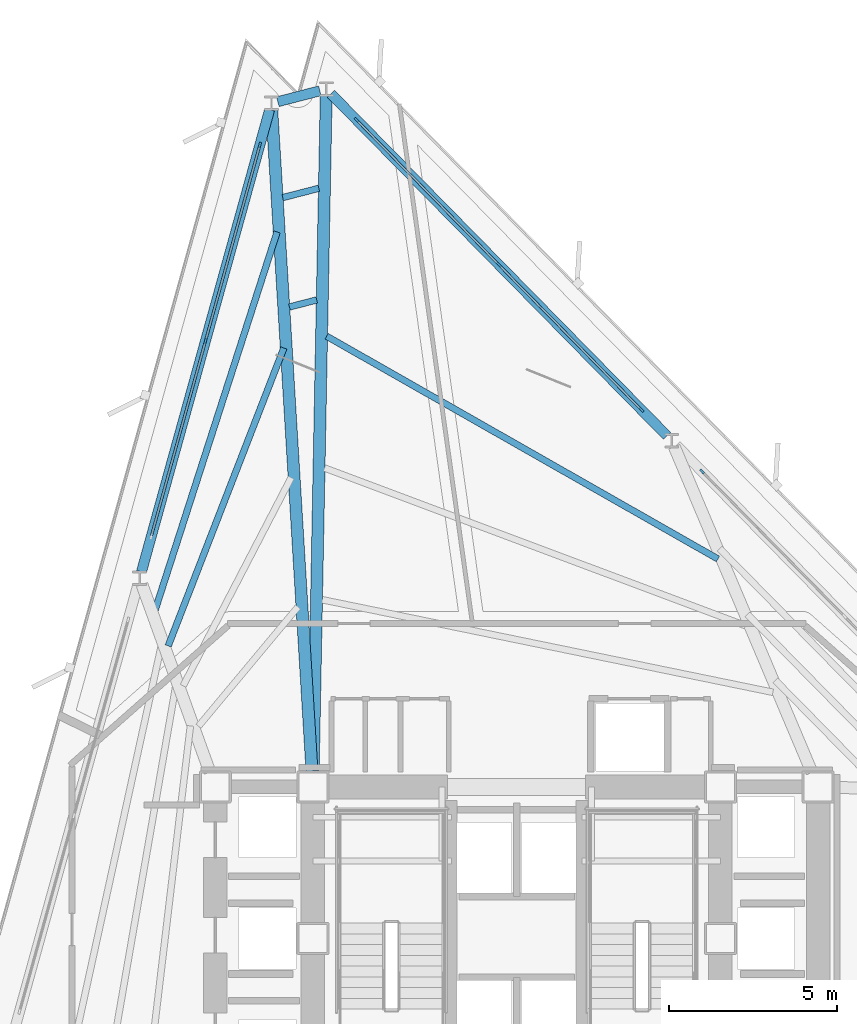
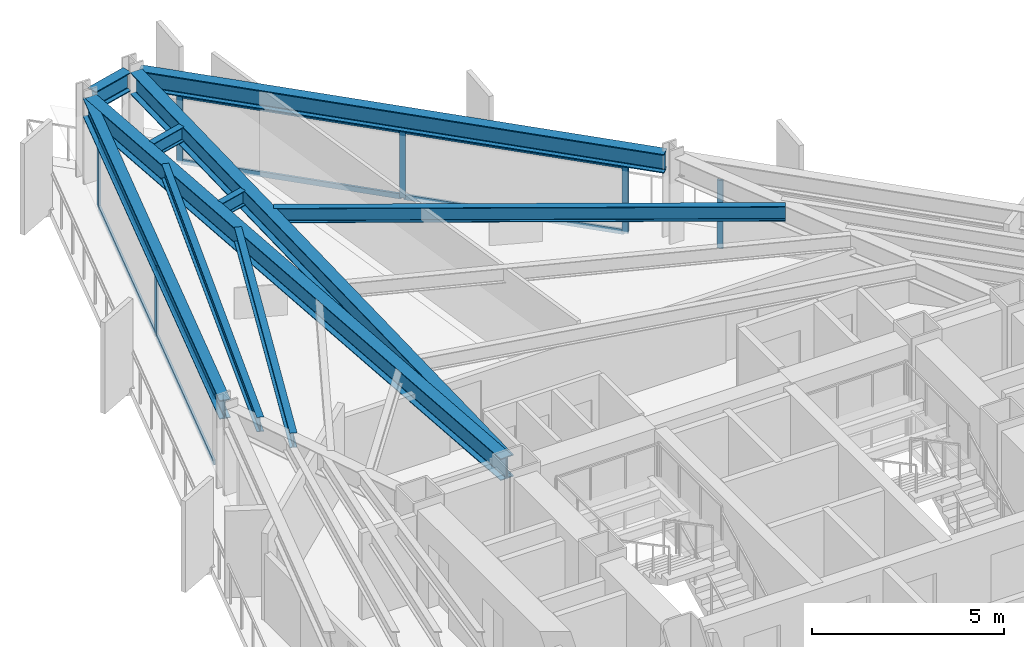
# One storey, part 5 of 11: 14 members, 10 beams, 3 elements without a shape of their own.
"""IFC4 building model written with IfcOpenShell, lengths in metres."""

from ifc_helpers import new_model, si_unit, direction, frame, origin, origin_2d, place, context, subcontext, project, spatial, rectangle, i_section, extrude, material, layer, layer_set, material_profile, profile_set, type_object, element, aggregate, save


model = new_model("IFC4")

# Units and contexts
model_context = context("Model", 3, precision=1e-05, world=origin(), true_north=direction((0.0, 1.0)))
body_context = subcontext(model_context, "Body", "Model", "MODEL_VIEW")
ifc_project = project(units=[si_unit("LENGTHUNIT", "METRE"), si_unit("AREAUNIT", "SQUARE_METRE"), si_unit("VOLUMEUNIT", "CUBIC_METRE"), si_unit("PLANEANGLEUNIT", "RADIAN"), si_unit("MASSUNIT", "GRAM", prefix="KILO")], contexts=[model_context])

# Site, building, storey
site_placement = place(None, origin())
site = spatial("IfcSite", under=ifc_project, at=site_placement, CompositionType="ELEMENT")
building_placement = place(site_placement, origin())
building = spatial("IfcBuilding", under=site, at=building_placement, Name="Rocaltana Carrier Exchange", CompositionType="ELEMENT")
storey_placement = place(building_placement, frame((0.0, 0.0, 88.639892578125)))
storey = spatial("IfcBuildingStorey", under=building, at=storey_placement, Name="L27", CompositionType="ELEMENT", Elevation=88.639892578125)

# Curtain wall, member
ifc_material_1 = material(Name="Aluminium 6063-T6", Category="aluminium")
ifc_layer = layer(ifc_material_1, 0.1650390625)
ifc_layer_set = layer_set([ifc_layer], Name="Aluminium 6063-T6")
curtain_wall_type = type_object("IfcCurtainWallType", Name="Lower-Mid Stepped Curtain Wall CW-02", PredefinedType="NOTDEFINED", material=ifc_layer_set)
curtain_wall_1_placement = place(storey_placement, origin())
curtain_wall_1 = element("IfcCurtainWall", 1, at=curtain_wall_1_placement, inside=storey, type_object=curtain_wall_type, Name="L27 CW-02 Run CW-L27-F1S2", PredefinedType="NOTDEFINED")
ifc_material_2 = material(Name="Aluminium 6063-T6", Category="aluminium")
ifc_material_profile_1 = material_profile(ifc_material_2, rectangle(XDim=0.06494140625, YDim=0.1650390625, at=origin_2d()), Name="AL-65X165")
ifc_profile_set_1 = profile_set([ifc_material_profile_1], Name="Aluminium 6063-T6")
member_type_1 = type_object("IfcMemberType", Name="CW-02 Mullion AL-65X165", PredefinedType="MULLION", material=ifc_profile_set_1)
member_1_placement = place(storey_placement, frame((5.503173828125, 13.8681640625, 0.0), z_axis=(0.0, 0.0, 1.0), x_axis=(-0.713244696676, -0.700915118017, 0.0)))
member_1 = element("IfcMember", 2, at=member_1_placement, type_object=member_type_1, Name="CW-02 mullion 3", PredefinedType="MULLION", context=body_context, shape_type="SweptSolid", body=[
    extrude(rectangle(XDim=0.06494140625, YDim=0.1650390625, at=origin_2d()), origin(), (0.0, 0.0, 1.0), 2.168212890625),
])
aggregate(curtain_wall_1, [member_1])

# Curtain wall, members
curtain_wall_2_placement = place(storey_placement, origin())
curtain_wall_2 = element("IfcCurtainWall", 3, at=curtain_wall_2_placement, inside=storey, type_object=curtain_wall_type, Name="L27 CW-02 Run CW-L27-F1S3", PredefinedType="NOTDEFINED")
member_2_placement = place(storey_placement, frame((3.70556640625, 15.69775390625, 0.0), z_axis=(0.0, 0.0, 1.0), x_axis=(-0.713244767898, -0.700915045542, 0.0)))
member_2 = element("IfcMember", 4, at=member_2_placement, type_object=member_type_1, Name="CW-02 mullion 1", PredefinedType="MULLION", context=body_context, shape_type="SweptSolid", body=[
    extrude(rectangle(XDim=0.06494140625, YDim=0.1650390625, at=origin_2d()), origin(), (0.0, 0.0, 1.0), 2.168212890625),
])
member_3_placement = place(storey_placement, frame((-0.52392578125, 20.001708984375, 0.0), z_axis=(0.0, 0.0, 1.0), x_axis=(-0.713244767898, -0.700915045542, 0.0)))
member_3 = element("IfcMember", 5, at=member_3_placement, type_object=member_type_1, Name="CW-02 mullion 2", PredefinedType="MULLION", context=body_context, shape_type="SweptSolid", body=[
    extrude(rectangle(XDim=0.06494140625, YDim=0.1650390625, at=origin_2d()), origin(), (0.0, 0.0, 1.0), 2.168212890625),
])
member_4_placement = place(storey_placement, frame((-4.75341796875, 24.305419921875, 0.0), z_axis=(0.0, 0.0, 1.0), x_axis=(-0.713244767898, -0.700915045542, 0.0)))
member_4 = element("IfcMember", 6, at=member_4_placement, type_object=member_type_1, Name="CW-02 mullion 3", PredefinedType="MULLION", context=body_context, shape_type="SweptSolid", body=[
    extrude(rectangle(XDim=0.06494140625, YDim=0.1650390625, at=origin_2d()), origin(), (0.0, 0.0, 1.0), 2.168212890625),
])

curtain_wall_3_placement = place(storey_placement, origin())
curtain_wall_3 = element("IfcCurtainWall", 7, at=curtain_wall_3_placement, inside=storey, type_object=curtain_wall_type, Name="L27 CW-02 Run CW-L27-F2S1", PredefinedType="NOTDEFINED")
member_5_placement = place(storey_placement, frame((-7.626220703125, 23.5625, 0.0), z_axis=(0.0, 0.0, 1.0), x_axis=(0.96362846453, -0.267245546918, 0.0)))
member_5 = element("IfcMember", 8, at=member_5_placement, type_object=member_type_1, Name="CW-02 mullion 1", PredefinedType="MULLION", context=body_context, shape_type="SweptSolid", body=[
    extrude(rectangle(XDim=0.06494140625, YDim=0.1650390625, at=origin_2d()), origin(), (0.0, 0.0, 1.0), 2.168212890625),
])
member_6_placement = place(storey_placement, frame((-9.23876953125, 17.747802734375, 0.0), z_axis=(0.0, 0.0, 1.0), x_axis=(0.96362846453, -0.267245546918, 0.0)))
member_6 = element("IfcMember", 9, at=member_6_placement, type_object=member_type_1, Name="CW-02 mullion 2", PredefinedType="MULLION", context=body_context, shape_type="SweptSolid", body=[
    extrude(rectangle(XDim=0.06494140625, YDim=0.1650390625, at=origin_2d()), origin(), (0.0, 0.0, 1.0), 2.168212890625),
])

# Member
ifc_material_3 = material(Name="Aluminium 6063-T6", Category="aluminium")
ifc_material_profile_2 = material_profile(ifc_material_3, rectangle(XDim=0.06494140625, YDim=0.1650390625, at=origin_2d()), Name="AL-65X165")
ifc_profile_set_2 = profile_set([ifc_material_profile_2], Name="Aluminium 6063-T6")
member_type_2 = type_object("IfcMemberType", Name="CW-02 Transom AL-65X165", PredefinedType="USERDEFINED", material=ifc_profile_set_2)
member_7_placement = place(storey_placement, frame((3.682861328125, 15.720947265625, 0.03271484375), z_axis=(-0.700924711343, 0.713235269058, 0.0), x_axis=(-0.713235269058, -0.700924711343, 0.0)))
member_7 = element("IfcMember", 10, at=member_7_placement, type_object=member_type_2, Name="CW-02 transom 1.1", ObjectType="TRANSOM", PredefinedType="USERDEFINED", context=body_context, shape_type="SweptSolid", body=[
    extrude(rectangle(XDim=0.06494140625, YDim=0.1650390625, at=origin_2d()), origin(), (0.0, 0.0, 1.0), 5.969482421875),
])

member_8_placement = place(storey_placement, frame((3.682861328125, 15.720947265625, 2.135498046875), z_axis=(-0.700924711343, 0.713235269058, 0.0), x_axis=(-0.713235269058, -0.700924711343, 0.0)))
member_8 = element("IfcMember", 11, at=member_8_placement, type_object=member_type_2, Name="CW-02 transom 1.2", ObjectType="TRANSOM", PredefinedType="USERDEFINED", context=body_context, shape_type="SweptSolid", body=[
    extrude(rectangle(XDim=0.06494140625, YDim=0.1650390625, at=origin_2d()), origin(), (0.0, 0.0, 1.0), 5.969482421875),
])

member_9_placement = place(storey_placement, frame((-0.546630859375, 20.02490234375, 0.03271484375), z_axis=(-0.700924352217, 0.713235621985, 0.0), x_axis=(-0.713235621985, -0.700924352217, 0.0)))
member_9 = element("IfcMember", 12, at=member_9_placement, type_object=member_type_2, Name="CW-02 transom 2.1", ObjectType="TRANSOM", PredefinedType="USERDEFINED", context=body_context, shape_type="SweptSolid", body=[
    extrude(rectangle(XDim=0.06494140625, YDim=0.1650390625, at=origin_2d()), origin(), (0.0, 0.0, 1.0), 5.968994140625),
])

member_10_placement = place(storey_placement, frame((-0.546630859375, 20.02490234375, 2.135498046875), z_axis=(-0.700924352217, 0.713235621985, 0.0), x_axis=(-0.713235621985, -0.700924352217, 0.0)))
member_10 = element("IfcMember", 13, at=member_10_placement, type_object=member_type_2, Name="CW-02 transom 2.2", ObjectType="TRANSOM", PredefinedType="USERDEFINED", context=body_context, shape_type="SweptSolid", body=[
    extrude(rectangle(XDim=0.06494140625, YDim=0.1650390625, at=origin_2d()), origin(), (0.0, 0.0, 1.0), 5.968994140625),
])

aggregate(curtain_wall_2, [member_2, member_3, member_4, member_7, member_8, member_9, member_10])

member_11_placement = place(storey_placement, frame((-7.634765625, 23.53125, 0.03271484375), z_axis=(-0.267274698809, -0.963620379287, 0.0), x_axis=(0.963620379287, -0.267274698809, 0.0)))
member_11 = element("IfcMember", 14, at=member_11_placement, type_object=member_type_2, Name="CW-02 transom 1.1", ObjectType="TRANSOM", PredefinedType="USERDEFINED", context=body_context, shape_type="SweptSolid", body=[
    extrude(rectangle(XDim=0.06494140625, YDim=0.1650390625, at=origin_2d()), origin(), (0.0, 0.0, 1.0), 5.96923828125),
])

member_12_placement = place(storey_placement, frame((-7.634765625, 23.53125, 2.135498046875), z_axis=(-0.267274698809, -0.963620379287, 0.0), x_axis=(0.963620379287, -0.267274698809, 0.0)))
member_12 = element("IfcMember", 15, at=member_12_placement, type_object=member_type_2, Name="CW-02 transom 1.2", ObjectType="TRANSOM", PredefinedType="USERDEFINED", context=body_context, shape_type="SweptSolid", body=[
    extrude(rectangle(XDim=0.06494140625, YDim=0.1650390625, at=origin_2d()), origin(), (0.0, 0.0, 1.0), 5.96923828125),
])

member_13_placement = place(storey_placement, frame((-9.24755859375, 17.716552734375, 0.03271484375), z_axis=(-0.267236720875, -0.963630912235, 0.0), x_axis=(0.963630912235, -0.267236720875, 0.0)))
member_13 = element("IfcMember", 16, at=member_13_placement, type_object=member_type_2, Name="CW-02 transom 2.1", ObjectType="TRANSOM", PredefinedType="USERDEFINED", context=body_context, shape_type="SweptSolid", body=[
    extrude(rectangle(XDim=0.06494140625, YDim=0.1650390625, at=origin_2d()), origin(), (0.0, 0.0, 1.0), 5.96923828125),
])

member_14_placement = place(storey_placement, frame((-9.24755859375, 17.716552734375, 2.135498046875), z_axis=(-0.267236720875, -0.963630912235, 0.0), x_axis=(0.963630912235, -0.267236720875, 0.0)))
member_14 = element("IfcMember", 17, at=member_14_placement, type_object=member_type_2, Name="CW-02 transom 2.2", ObjectType="TRANSOM", PredefinedType="USERDEFINED", context=body_context, shape_type="SweptSolid", body=[
    extrude(rectangle(XDim=0.06494140625, YDim=0.1650390625, at=origin_2d()), origin(), (0.0, 0.0, 1.0), 5.96923828125),
])

aggregate(curtain_wall_3, [member_5, member_6, member_11, member_12, member_13, member_14])

# Beams
ifc_material_4 = material(Name="Steel S355", Category="steel")
ifc_material_profile_3 = material_profile(ifc_material_4, i_section(OverallWidth=0.193115234375, OverallDepth=0.466064453125, WebThickness=0.011474609375, FlangeThickness=0.01904296875, FilletRadius=0.013916015625, at=origin_2d()), Name="W18X65")
ifc_profile_set_3 = profile_set([ifc_material_profile_3], Name="Steel S355")
beam_type_1 = type_object("IfcBeamType", Name="Floor Joist W18X65", PredefinedType="JOIST", material=ifc_profile_set_3)
beam_1_placement = place(storey_placement, frame((5.976318359375, 11.268798828125, 2.55517578125), z_axis=(-0.869038762024, 0.494744004613, 0.0), x_axis=(-0.494744004613, -0.869038762024, 0.0)))
element("IfcBeam", 18, at=beam_1_placement, inside=storey, type_object=beam_type_1, Name="FJ-L27-03-3", PredefinedType="JOIST", context=body_context, shape_type="SweptSolid", body=[
    extrude(i_section(OverallWidth=0.193115234375, OverallDepth=0.466064453125, WebThickness=0.011474609375, FlangeThickness=0.01904296875, FilletRadius=0.013916015625, at=origin_2d()), origin(), (0.0, 0.0, 1.0), 13.36962890625),
])
beam_2_placement = place(storey_placement, frame((-5.9375, 18.961181640625, 2.55517578125), z_axis=(-0.968135931974, -0.250425272727, 0.0), x_axis=(0.250425272727, -0.968135931974, 0.0)))
element("IfcBeam", 19, at=beam_2_placement, inside=storey, type_object=beam_type_1, Name="FJ-L27-04-3", PredefinedType="JOIST", context=body_context, shape_type="SweptSolid", body=[
    extrude(i_section(OverallWidth=0.193115234375, OverallDepth=0.466064453125, WebThickness=0.011474609375, FlangeThickness=0.01904296875, FilletRadius=0.013916015625, at=origin_2d()), origin(), (0.0, 0.0, 1.0), 0.83642578125),
])
beam_3_placement = place(storey_placement, frame((-5.873779296875, 22.2763671875, 2.55517578125), z_axis=(-0.968177342662, -0.25026512573, 0.0), x_axis=(0.25026512573, -0.968177342662, 0.0)))
element("IfcBeam", 20, at=beam_3_placement, inside=storey, type_object=beam_type_1, Name="FJ-L27-04-4", PredefinedType="JOIST", context=body_context, shape_type="SweptSolid", body=[
    extrude(i_section(OverallWidth=0.193115234375, OverallDepth=0.466064453125, WebThickness=0.011474609375, FlangeThickness=0.01904296875, FilletRadius=0.013916015625, at=origin_2d()), origin(), (0.0, 0.0, 1.0), 1.106201171875),
])
beam_4_placement = place(storey_placement, frame((-6.913818359375, 17.533935546875, 2.55517578125), z_axis=(-0.361784373261, -0.93226180189, 0.0), x_axis=(0.93226180189, -0.361784373261, 0.0)))
element("IfcBeam", 21, at=beam_4_placement, inside=storey, type_object=beam_type_1, Name="FJ-L27-05-3", PredefinedType="JOIST", context=body_context, shape_type="SweptSolid", body=[
    extrude(i_section(OverallWidth=0.193115234375, OverallDepth=0.466064453125, WebThickness=0.011474609375, FlangeThickness=0.01904296875, FilletRadius=0.013916015625, at=origin_2d()), origin(), (0.0, 0.0, 1.0), 9.48876953125),
])
beam_5_placement = place(storey_placement, frame((-7.114013671875, 20.9814453125, 2.55517578125), z_axis=(-0.306913359242, -0.951737458504, 0.0), x_axis=(0.951737458504, -0.306913359242, 0.0)))
element("IfcBeam", 22, at=beam_5_placement, inside=storey, type_object=beam_type_1, Name="FJ-L27-05-4", PredefinedType="JOIST", context=body_context, shape_type="SweptSolid", body=[
    extrude(i_section(OverallWidth=0.193115234375, OverallDepth=0.466064453125, WebThickness=0.011474609375, FlangeThickness=0.01904296875, FilletRadius=0.013916015625, at=origin_2d()), origin(), (0.0, 0.0, 1.0), 11.806396484375),
])
ifc_material_5 = material(Name="Steel S355", Category="steel")
ifc_material_profile_4 = material_profile(ifc_material_5, i_section(OverallWidth=0.35498046875, OverallDepth=0.695068359375, WebThickness=0.015380859375, FlangeThickness=0.02490234375, FilletRadius=0.01806640625, at=origin_2d()), Name="W27X146")
ifc_profile_set_4 = profile_set([ifc_material_profile_4], Name="Steel S355")
beam_type_2 = type_object("IfcBeamType", Name="Radial Girder W27X146", PredefinedType="BEAM", material=ifc_profile_set_4)
beam_6_placement = place(storey_placement, frame((-6.041015625, 4.966796875, 2.440673828125), z_axis=(0.019193756189, 0.999815782894, 0.0), x_axis=(-0.999815782894, 0.019193756189, 0.0)))
element("IfcBeam", 23, at=beam_6_placement, inside=storey, type_object=beam_type_2, Name="RG-L27-04", PredefinedType="BEAM", context=body_context, shape_type="SweptSolid", body=[
    extrude(i_section(OverallWidth=0.35498046875, OverallDepth=0.695068359375, WebThickness=0.015380859375, FlangeThickness=0.02490234375, FilletRadius=0.01806640625, at=origin_2d()), origin(), (0.0, 0.0, 1.0), 20.05908203125),
])
beam_7_placement = place(storey_placement, frame((-6.078369140625, 4.966064453125, 2.440673828125), z_axis=(-0.060654317938, 0.998158831908, 0.0), x_axis=(-0.998158831908, -0.060654317938, 0.0)))
element("IfcBeam", 24, at=beam_7_placement, inside=storey, type_object=beam_type_2, Name="RG-L27-05", PredefinedType="BEAM", context=body_context, shape_type="SweptSolid", body=[
    extrude(i_section(OverallWidth=0.35498046875, OverallDepth=0.695068359375, WebThickness=0.015380859375, FlangeThickness=0.02490234375, FilletRadius=0.01806640625, at=origin_2d()), origin(), (0.0, 0.0, 1.0), 19.670654296875),
])
ifc_material_6 = material(Name="Steel S355", Category="steel")
ifc_material_profile_5 = material_profile(ifc_material_6, i_section(OverallWidth=0.300048828125, OverallDepth=0.60009765625, WebThickness=0.015380859375, FlangeThickness=0.030029296875, FilletRadius=0.027099609375, at=origin_2d()), Name="HEB600")
ifc_profile_set_5 = profile_set([ifc_material_profile_5], Name="Steel S355")
beam_type_3 = type_object("IfcBeamType", Name="Spandrel Edge Beam HEB600", PredefinedType="SPANDREL", material=ifc_profile_set_5)
beam_8_placement = place(storey_placement, frame((4.465576171875, 14.92431640625, 2.488037109375), z_axis=(-0.700906560302, 0.713253106356, 0.0), x_axis=(-0.713253106356, -0.700906560302, 0.0)))
element("IfcBeam", 25, at=beam_8_placement, inside=storey, type_object=beam_type_3, Name="SP-L27-03", PredefinedType="SPANDREL", context=body_context, shape_type="SweptSolid", body=[
    extrude(i_section(OverallWidth=0.300048828125, OverallDepth=0.60009765625, WebThickness=0.015380859375, FlangeThickness=0.030029296875, FilletRadius=0.027099609375, at=origin_2d()), origin(), (0.0, 0.0, 1.0), 14.2373046875),
])
beam_9_placement = place(storey_placement, frame((-5.843994140625, 25.170654296875, 2.488037109375), z_axis=(-0.968138202554, -0.250416494576, 0.0), x_axis=(0.250416494576, -0.968138202554, 0.0)))
element("IfcBeam", 26, at=beam_9_placement, inside=storey, type_object=beam_type_3, Name="SP-L27-04", PredefinedType="SPANDREL", context=body_context, shape_type="SweptSolid", body=[
    extrude(i_section(OverallWidth=0.300048828125, OverallDepth=0.60009765625, WebThickness=0.015380859375, FlangeThickness=0.030029296875, FilletRadius=0.027099609375, at=origin_2d()), origin(), (0.0, 0.0, 1.0), 1.288818359375),
])
beam_10_placement = place(storey_placement, frame((-7.33642578125, 24.607421875, 2.488037109375), z_axis=(-0.267234351395, -0.963631569343, 0.0), x_axis=(0.963631569343, -0.267234351395, 0.0)))
element("IfcBeam", 27, at=beam_10_placement, inside=storey, type_object=beam_type_3, Name="SP-L27-05", PredefinedType="SPANDREL", context=body_context, shape_type="SweptSolid", body=[
    extrude(i_section(OverallWidth=0.300048828125, OverallDepth=0.60009765625, WebThickness=0.015380859375, FlangeThickness=0.030029296875, FilletRadius=0.027099609375, at=origin_2d()), origin(), (0.0, 0.0, 1.0), 14.2373046875),
])

save(model, "model.ifc")
